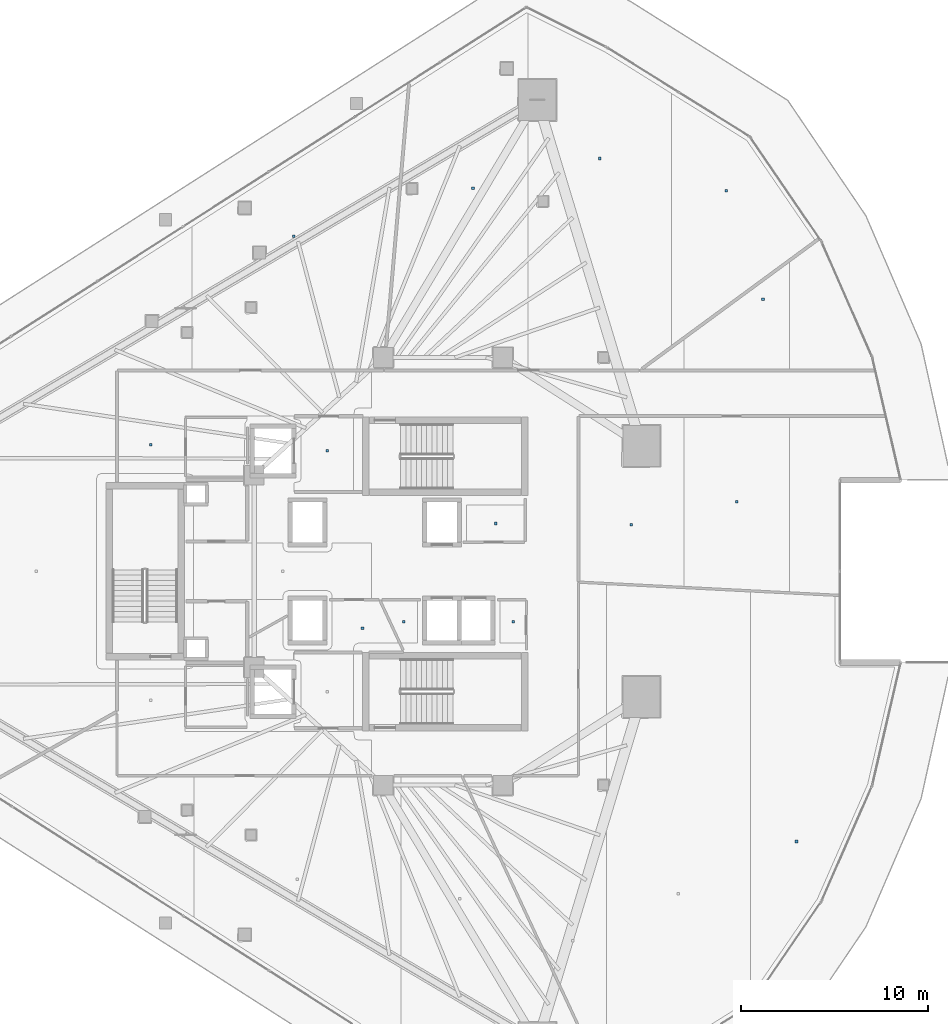
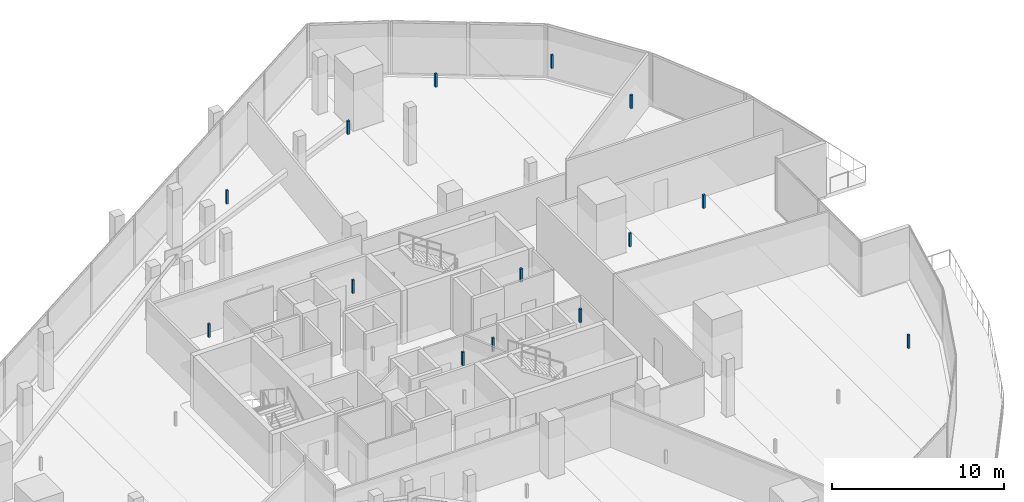
# One storey, part 33 of 40: 14 discrete accessories.
"""IFC4 building model written with IfcOpenShell, lengths in metres."""

from ifc_helpers import new_model, si_unit, direction, frame, origin, origin_2d, place, context, subcontext, project, spatial, rectangle, extrude, material, type_object, element, save


model = new_model("IFC4")

# Units and contexts
model_context = context("Model", 3, precision=1e-05, world=origin(), true_north=direction((0.0, 1.0)))
body_context = subcontext(model_context, "Body", "Model", "MODEL_VIEW")
ifc_project = project(units=[si_unit("LENGTHUNIT", "METRE"), si_unit("AREAUNIT", "SQUARE_METRE"), si_unit("VOLUMEUNIT", "CUBIC_METRE"), si_unit("PLANEANGLEUNIT", "RADIAN"), si_unit("MASSUNIT", "GRAM", prefix="KILO")], contexts=[model_context])

# Site, building, storey
site_placement = place(None, origin())
site = spatial("IfcSite", under=ifc_project, at=site_placement, CompositionType="ELEMENT")
building_placement = place(site_placement, origin())
building = spatial("IfcBuilding", under=site, at=building_placement, Name="Qorvath Tower", CompositionType="ELEMENT")
storey_placement = place(building_placement, frame((0.0, 0.0, 138.14990234375)))
storey = spatial("IfcBuildingStorey", under=building, at=storey_placement, Name="L31", CompositionType="ELEMENT", Elevation=138.14990234375)

# Discrete accessories
ifc_material = material(Name="Galvanised steel bracket", Category="steel")
discrete_accessory_type = type_object("IfcDiscreteAccessoryType", Name="DA-BRACKET", PredefinedType="BRACKET", material=ifc_material)
for number, where, z_axis, x_axis, name in (
    (1, (-26.590087890625, 6.449951171875, 2.85986328125), (0.0, 0.0, 1.0), (1.0, 0.0, 0.0), "Acoustic Ceiling Suspension Hanger T1-L31-001"),
    (2, (-17.572509765625, 2.5625, 2.85986328125), (0.0, 0.0, 1.0), (1.0, 0.0, 0.0), "Acoustic Ceiling Suspension Hanger T1-L31-003"),
    (3, (-36.040283203125, 6.782470703125, 2.85986328125), (0.0, 0.0, 1.0), (1.0, 0.0, 0.0), "Acoustic Ceiling Suspension Hanger T1-L31-009"),
    (4, (-28.38671875, 17.943359375, 2.85986328125), (0.0, 0.0, 1.0), (1.0, 0.0, 0.0), "Acoustic Ceiling Suspension Hanger T1-L31-013"),
    (5, (-24.711669921875, -3.048828125, 2.85986328125), (0.0, 0.0, 1.0), (1.0, 0.0, 0.0), "Acoustic Ceiling Suspension Hanger T1-L31-017"),
    (6, (-1.4638671875, -14.473388671875, 2.85986328125), (0.0, 0.0, 1.0), (1.0, 0.0, 0.0), "Acoustic Ceiling Suspension Hanger T1-L31-020"),
    (7, (-22.4951171875, -2.691650390625, 2.85986328125), (0.0, 0.0, 1.0), (1.0, 0.0, 0.0), "Acoustic Ceiling Suspension Hanger T1-L31-021"),
    (8, (-16.636474609375, -2.691650390625, 2.85986328125), (0.0, 0.0, 1.0), (1.0, 0.0, 0.0), "Acoustic Ceiling Suspension Hanger T1-L31-022"),
    (9, (-10.314697265625, 2.497802734375, 2.85986328125), (0.0, 0.0, 1.0), (1.0, 0.0, 0.0), "Acoustic Ceiling Suspension Hanger T1-L31-023"),
    (10, (-4.669921875, 3.72705078125, 2.85986328125), (0.0, 0.0, 1.0), (1.0, 0.0, 0.0), "Acoustic Ceiling Suspension Hanger T1-L31-024"),
    (11, (-3.2587890625, 14.566650390625, 2.85986328125), (0.0, 0.0, 1.0), (1.0, 0.0, 0.0), "Acoustic Ceiling Suspension Hanger T1-L31-025"),
    (12, (-18.791015625, 20.51611328125, 2.85986328125), (0.0, 0.0, 1.0), (1.0, 0.0, 0.0), "Acoustic Ceiling Suspension Hanger T1-L31-026"),
    (13, (-11.99658203125, 22.113037109375, 2.85986328125), (0.0, 0.0, 1.0), (1.0, 0.0, 0.0), "Acoustic Ceiling Suspension Hanger T1-L31-027"),
    (14, (-5.217529296875, 20.3837890625, 2.85986328125), (0.0, 0.0, 1.0), (1.0, 0.0, 0.0), "Acoustic Ceiling Suspension Hanger T1-L31-028"),
):
    element("IfcDiscreteAccessory", number, at=place(storey_placement, frame(where, z_axis=z_axis, x_axis=x_axis)), inside=storey, type_object=discrete_accessory_type, Name=name, PredefinedType="NOTDEFINED", context=body_context, shape_type="SweptSolid", body=[
        extrude(rectangle(XDim=0.139892578125, YDim=0.139892578125, at=origin_2d()), origin(), (0.0, 0.0, 1.0), 0.949951171875),
    ])

save(model, "model.ifc")
